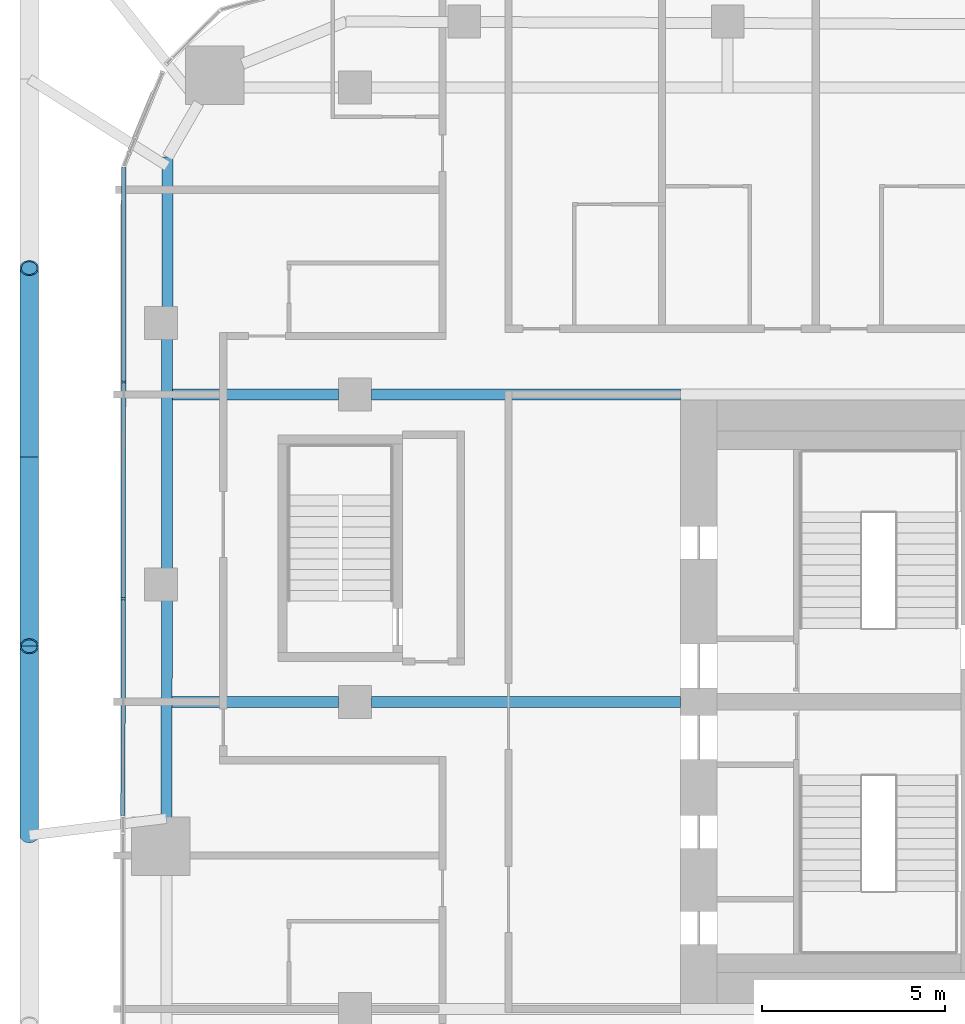
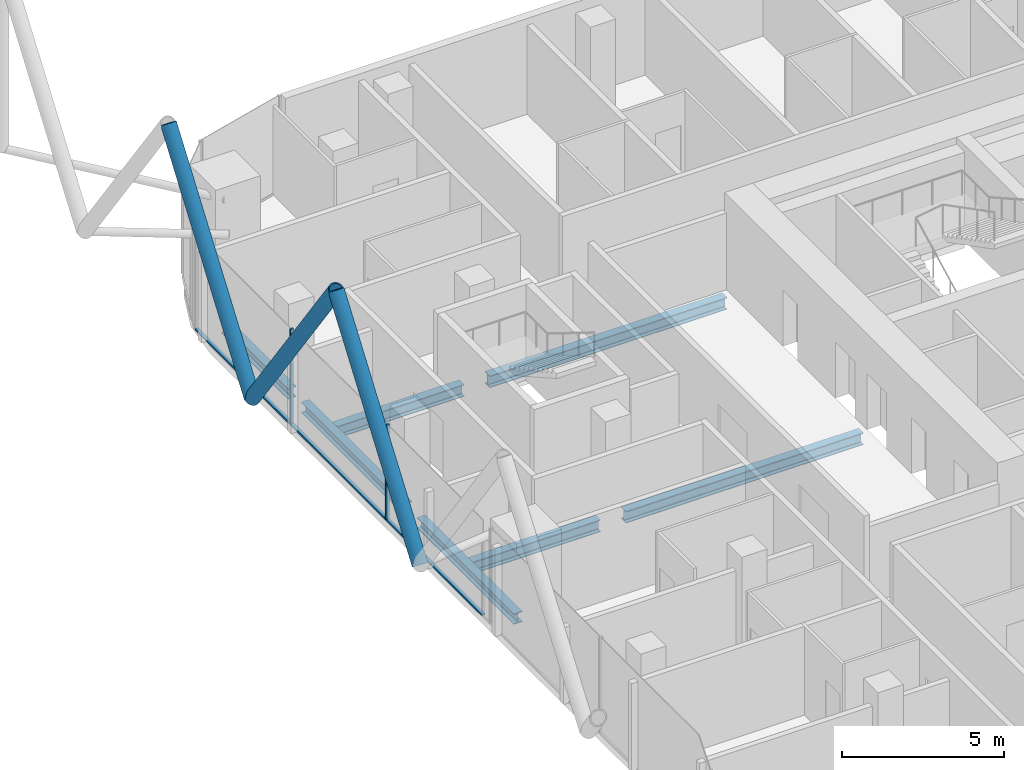
# One storey, part 9 of 36: 8 members, 7 beams, 1 element without a shape of its own.
"""IFC4 building model written with IfcOpenShell, lengths in metres."""

from ifc_helpers import new_model, si_unit, direction, frame, origin, origin_2d, place, context, subcontext, project, spatial, rectangle, hollow_circle, i_section, extrude, material, layer, layer_set, material_profile, profile_set, type_object, element, aggregate, save


model = new_model("IFC4")

# Units and contexts
model_context = context("Model", 3, precision=1e-05, world=origin(), true_north=direction((0.0, 1.0)))
body_context = subcontext(model_context, "Body", "Model", "MODEL_VIEW")
ifc_project = project(units=[si_unit("LENGTHUNIT", "METRE"), si_unit("AREAUNIT", "SQUARE_METRE"), si_unit("VOLUMEUNIT", "CUBIC_METRE"), si_unit("PLANEANGLEUNIT", "RADIAN"), si_unit("MASSUNIT", "GRAM", prefix="KILO")], contexts=[model_context])

# Site, building, storey
site_placement = place(None, origin())
site = spatial("IfcSite", under=ifc_project, at=site_placement, CompositionType="ELEMENT")
building_placement = place(site_placement, origin())
building = spatial("IfcBuilding", under=site, at=building_placement, Name="Marenta Gate Hotel Tower", CompositionType="ELEMENT")
storey_placement = place(building_placement, frame((0.0, 0.0, 115.699951171875)))
storey = spatial("IfcBuildingStorey", under=building, at=storey_placement, Name="L25", CompositionType="ELEMENT", Elevation=115.699951171875)

# Members
ifc_material_1 = material(Name="Steel S355J2W", Category="steel")
ifc_material_profile_1 = material_profile(ifc_material_1, hollow_circle(Radius=0.25390625, WallThickness=0.0400390625, at=origin_2d()), Name="CHS 508x40")
ifc_profile_set_1 = profile_set([ifc_material_profile_1], Name="Steel S355J2W")
member_type_1 = type_object("IfcMemberType", Name="Diagrid diagonal Z2 CHS 508x40", PredefinedType="BRACE", material=ifc_profile_set_1)
member_1_placement = place(storey_placement, frame((-29.89990234375, 4.75, 3.14013671875), z_axis=(0.0, 0.583260841117, 0.812284919975), x_axis=(-1.0, 0.0, 0.0)))
element("IfcMember", 1, at=member_1_placement, inside=storey, type_object=member_type_1, Name="L25-DG-30", PredefinedType="BRACE", context=body_context, shape_type="SweptSolid", body=[
    extrude(hollow_circle(Radius=0.25390625, WallThickness=0.0400390625, at=origin_2d()), origin(), (0.0, 0.0, 1.0), 8.86376953125),
])
member_2_placement = place(storey_placement, frame((-29.89990234375, 15.090087890625, 3.14013671875), z_axis=(0.0, -0.583279014058, 0.812271870595), x_axis=(1.0, 0.0, 0.0)))
element("IfcMember", 2, at=member_2_placement, inside=storey, type_object=member_type_1, Name="L25-DG-31", PredefinedType="BRACE", context=body_context, shape_type="SweptSolid", body=[
    extrude(hollow_circle(Radius=0.25390625, WallThickness=0.0400390625, at=origin_2d()), origin(), (0.0, 0.0, 1.0), 8.864013671875),
])
member_3_placement = place(storey_placement, frame((-29.89990234375, 15.090087890625, 3.14013671875), z_axis=(0.0, 0.583260841117, 0.812284919975), x_axis=(-1.0, 0.0, 0.0)))
element("IfcMember", 3, at=member_3_placement, inside=storey, type_object=member_type_1, Name="L25-DG-32", PredefinedType="BRACE", context=body_context, shape_type="SweptSolid", body=[
    extrude(hollow_circle(Radius=0.25390625, WallThickness=0.0400390625, at=origin_2d()), origin(), (0.0, 0.0, 1.0), 8.86376953125),
])

# Beams
ifc_material_2 = material(Name="Steel S355", Category="steel")
ifc_material_profile_2 = material_profile(ifc_material_2, i_section(OverallWidth=0.300048828125, OverallDepth=0.39990234375, WebThickness=0.013427734375, FlangeThickness=0.02392578125, FilletRadius=0.027099609375, at=origin_2d()), Name="HEB 400")
ifc_profile_set_2 = profile_set([ifc_material_profile_2], Name="Steel S355")
beam_type_1 = type_object("IfcBeamType", Name="Edge beam HEB 400", PredefinedType="SPANDREL", material=ifc_profile_set_2)
beam_1_placement = place(storey_placement, frame((-26.146484375, 5.2099609375, -0.4599609375), z_axis=(0.001387357379, 0.999999037619, 0.0), x_axis=(-0.999999037619, 0.001387357379, 0.0)))
element("IfcBeam", 4, at=beam_1_placement, inside=storey, type_object=beam_type_1, Name="L25-EB-8", PredefinedType="SPANDREL", context=body_context, shape_type="SweptSolid", body=[
    extrude(i_section(OverallWidth=0.300048828125, OverallDepth=0.39990234375, WebThickness=0.013427734375, FlangeThickness=0.02392578125, FilletRadius=0.027099609375, at=origin_2d()), origin(), (0.0, 0.0, 1.0), 5.983154296875),
])
beam_2_placement = place(storey_placement, frame((-26.136962890625, 12.01318359375, -0.4599609375), z_axis=(0.001387763206, 0.999999037056, 0.0), x_axis=(-0.999999037056, 0.001387763206, 0.0)))
element("IfcBeam", 5, at=beam_2_placement, inside=storey, type_object=beam_type_1, Name="L25-EB-9", PredefinedType="SPANDREL", context=body_context, shape_type="SweptSolid", body=[
    extrude(i_section(OverallWidth=0.300048828125, OverallDepth=0.39990234375, WebThickness=0.013427734375, FlangeThickness=0.02392578125, FilletRadius=0.027099609375, at=origin_2d()), origin(), (0.0, 0.0, 1.0), 6.333251953125),
])
beam_3_placement = place(storey_placement, frame((-26.126953125, 19.16650390625, -0.4599609375), z_axis=(0.001361187116, 0.999999073584, 0.0), x_axis=(-0.999999073584, 0.001361187116, 0.0)))
element("IfcBeam", 6, at=beam_3_placement, inside=storey, type_object=beam_type_1, Name="L25-EB-10", PredefinedType="SPANDREL", context=body_context, shape_type="SweptSolid", body=[
    extrude(i_section(OverallWidth=0.300048828125, OverallDepth=0.39990234375, WebThickness=0.013427734375, FlangeThickness=0.02392578125, FilletRadius=0.027099609375, at=origin_2d()), origin(), (0.0, 0.0, 1.0), 4.125244140625),
])
ifc_material_3 = material(Name="Steel S355", Category="steel")
ifc_material_profile_3 = material_profile(ifc_material_3, i_section(OverallWidth=0.300048828125, OverallDepth=0.449951171875, WebThickness=0.013916015625, FlangeThickness=0.02587890625, FilletRadius=0.027099609375, at=origin_2d()), Name="HEB 450")
ifc_profile_set_3 = profile_set([ifc_material_profile_3], Name="Steel S355")
beam_type_2 = type_object("IfcBeamType", Name="Girder HEB 450", PredefinedType="BEAM", material=ifc_profile_set_3)
beam_4_placement = place(storey_placement, frame((-25.991943359375, 8.39990234375, -0.48486328125), z_axis=(1.0, 0.0, 0.0), x_axis=(0.0, 1.0, 0.0)))
element("IfcBeam", 7, at=beam_4_placement, inside=storey, type_object=beam_type_2, Name="L25-GD-20", PredefinedType="BEAM", context=body_context, shape_type="SweptSolid", body=[
    extrude(i_section(OverallWidth=0.300048828125, OverallDepth=0.449951171875, WebThickness=0.013916015625, FlangeThickness=0.02587890625, FilletRadius=0.027099609375, at=origin_2d()), origin(), (0.0, 0.0, 1.0), 4.5419921875),
])
beam_5_placement = place(storey_placement, frame((-20.550048828125, 8.39990234375, -0.48486328125), z_axis=(1.0, 0.0, 0.0), x_axis=(0.0, 1.0, 0.0)))
element("IfcBeam", 8, at=beam_5_placement, inside=storey, type_object=beam_type_2, Name="L25-GD-21", PredefinedType="BEAM", context=body_context, shape_type="SweptSolid", body=[
    extrude(i_section(OverallWidth=0.300048828125, OverallDepth=0.449951171875, WebThickness=0.013916015625, FlangeThickness=0.02587890625, FilletRadius=0.027099609375, at=origin_2d()), origin(), (0.0, 0.0, 1.0), 8.449951171875),
])
beam_6_placement = place(storey_placement, frame((-25.980224609375, 16.800048828125, -0.48486328125), z_axis=(1.0, 0.0, 0.0), x_axis=(0.0, 1.0, 0.0)))
element("IfcBeam", 9, at=beam_6_placement, inside=storey, type_object=beam_type_2, Name="L25-GD-24", PredefinedType="BEAM", context=body_context, shape_type="SweptSolid", body=[
    extrude(i_section(OverallWidth=0.300048828125, OverallDepth=0.449951171875, WebThickness=0.013916015625, FlangeThickness=0.02587890625, FilletRadius=0.027099609375, at=origin_2d()), origin(), (0.0, 0.0, 1.0), 4.5302734375),
])
beam_7_placement = place(storey_placement, frame((-20.550048828125, 16.800048828125, -0.48486328125), z_axis=(1.0, 0.0, 0.0), x_axis=(0.0, 1.0, 0.0)))
element("IfcBeam", 10, at=beam_7_placement, inside=storey, type_object=beam_type_2, Name="L25-GD-25", PredefinedType="BEAM", context=body_context, shape_type="SweptSolid", body=[
    extrude(i_section(OverallWidth=0.300048828125, OverallDepth=0.449951171875, WebThickness=0.013916015625, FlangeThickness=0.02587890625, FilletRadius=0.027099609375, at=origin_2d()), origin(), (0.0, 0.0, 1.0), 8.449951171875),
])

# Curtain wall, members
ifc_material_4 = material(Name="Tinted insulated glass in bronze anodised frame", Category="glass")
ifc_layer = layer(ifc_material_4, 0.1201171875)
ifc_layer_set = layer_set([ifc_layer], Name="Tinted insulated glass in bronze anodised frame")
curtain_wall_type = type_object("IfcCurtainWallType", Name="Tower unitised curtain wall CW1", PredefinedType="NOTDEFINED", material=ifc_layer_set)
curtain_wall_placement = place(storey_placement, origin())
curtain_wall = element("IfcCurtainWall", 11, at=curtain_wall_placement, inside=storey, type_object=curtain_wall_type, Name="CW1 run G06", PredefinedType="NOTDEFINED")
ifc_material_5 = material(Name="Bronze anodised aluminium", Category="aluminium")
ifc_material_profile_4 = material_profile(ifc_material_5, rectangle(XDim=0.1201171875, YDim=0.06005859375, at=origin_2d()), Name="Mullion CW1 60x120 bronze anodised aluminium")
ifc_profile_set_4 = profile_set([ifc_material_profile_4], Name="Bronze anodised aluminium")
member_type_2 = type_object("IfcMemberType", Name="Mullion CW1 60x120 bronze anodised aluminium", PredefinedType="MULLION", material=ifc_profile_set_4)
member_4_placement = place(storey_placement, frame((-27.321533203125, 17.141357421875, 0.0), z_axis=(0.0, 0.0, 1.0), x_axis=(0.999998768051, -0.001569680138, 0.0)))
member_4 = element("IfcMember", 12, at=member_4_placement, type_object=member_type_2, Name="CW1 mullion 2", PredefinedType="MULLION", context=body_context, shape_type="SweptSolid", body=[
    extrude(rectangle(XDim=0.1201171875, YDim=0.06005859375, at=origin_2d()), origin(), (0.0, 0.0, 1.0), 3.60009765625),
])
member_5_placement = place(storey_placement, frame((-27.330810546875, 11.216552734375, 0.0), z_axis=(0.0, 0.0, 1.0), x_axis=(0.999998768051, -0.001569680138, 0.0)))
member_5 = element("IfcMember", 13, at=member_5_placement, type_object=member_type_2, Name="CW1 mullion 3", PredefinedType="MULLION", context=body_context, shape_type="SweptSolid", body=[
    extrude(rectangle(XDim=0.1201171875, YDim=0.06005859375, at=origin_2d()), origin(), (0.0, 0.0, 1.0), 3.60009765625),
])
ifc_material_6 = material(Name="Bronze anodised aluminium", Category="aluminium")
ifc_material_profile_5 = material_profile(ifc_material_6, rectangle(XDim=0.1201171875, YDim=0.06005859375, at=origin_2d()), Name="Transom CW1 60x120 bronze anodised aluminium")
ifc_profile_set_5 = profile_set([ifc_material_profile_5], Name="Bronze anodised aluminium")
member_type_3 = type_object("IfcMemberType", Name="Transom CW1 60x120 bronze anodised aluminium", PredefinedType="USERDEFINED", material=ifc_profile_set_5)
member_6_placement = place(storey_placement, frame((-27.3125, 23.006103515625, 0.030029296875), z_axis=(-0.001548180077, -0.999998801569, 0.0), x_axis=(0.999998801569, -0.001548180077, 0.0)))
member_6 = element("IfcMember", 14, at=member_6_placement, type_object=member_type_3, Name="CW1 transom 1.1", ObjectType="TRANSOM", PredefinedType="USERDEFINED", context=body_context, shape_type="SweptSolid", body=[
    extrude(rectangle(XDim=0.1201171875, YDim=0.06005859375, at=origin_2d()), origin(), (0.0, 0.0, 1.0), 5.834716796875),
])
member_7_placement = place(storey_placement, frame((-27.321533203125, 17.111328125, 0.030029296875), z_axis=(-0.001581881294, -0.999998748825, 0.0), x_axis=(0.999998748825, -0.001581881294, 0.0)))
member_7 = element("IfcMember", 15, at=member_7_placement, type_object=member_type_3, Name="CW1 transom 2.1", ObjectType="TRANSOM", PredefinedType="USERDEFINED", context=body_context, shape_type="SweptSolid", body=[
    extrude(rectangle(XDim=0.1201171875, YDim=0.06005859375, at=origin_2d()), origin(), (0.0, 0.0, 1.0), 5.86474609375),
])
member_8_placement = place(storey_placement, frame((-27.3310546875, 11.186767578125, 0.030029296875), z_axis=(-0.001532406567, -0.999998825864, 0.0), x_axis=(0.999998825864, -0.001532406567, 0.0)))
member_8 = element("IfcMember", 16, at=member_8_placement, type_object=member_type_3, Name="CW1 transom 3.1", ObjectType="TRANSOM", PredefinedType="USERDEFINED", context=body_context, shape_type="SweptSolid", body=[
    extrude(rectangle(XDim=0.1201171875, YDim=0.06005859375, at=origin_2d()), origin(), (0.0, 0.0, 1.0), 5.894775390625),
])
aggregate(curtain_wall, [member_4, member_5, member_6, member_7, member_8])

save(model, "model.ifc")
